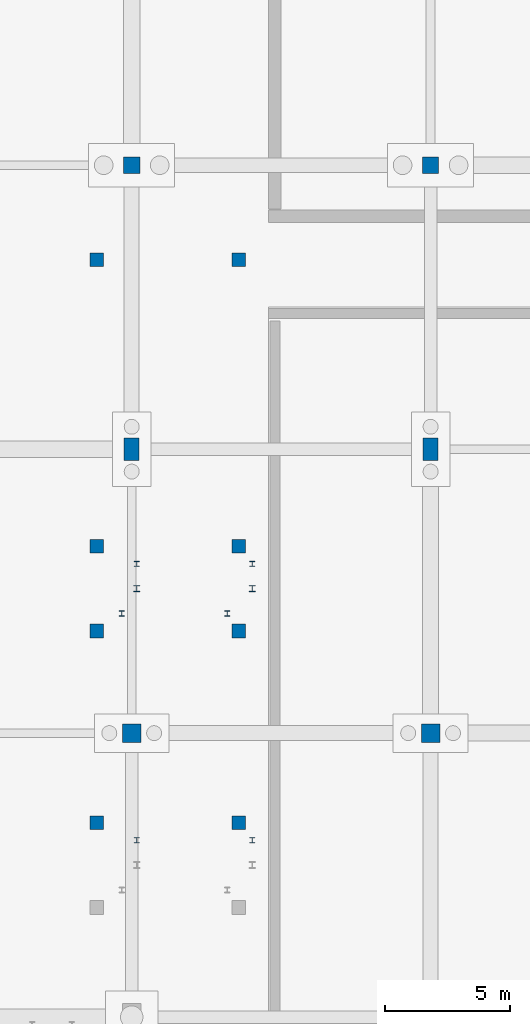
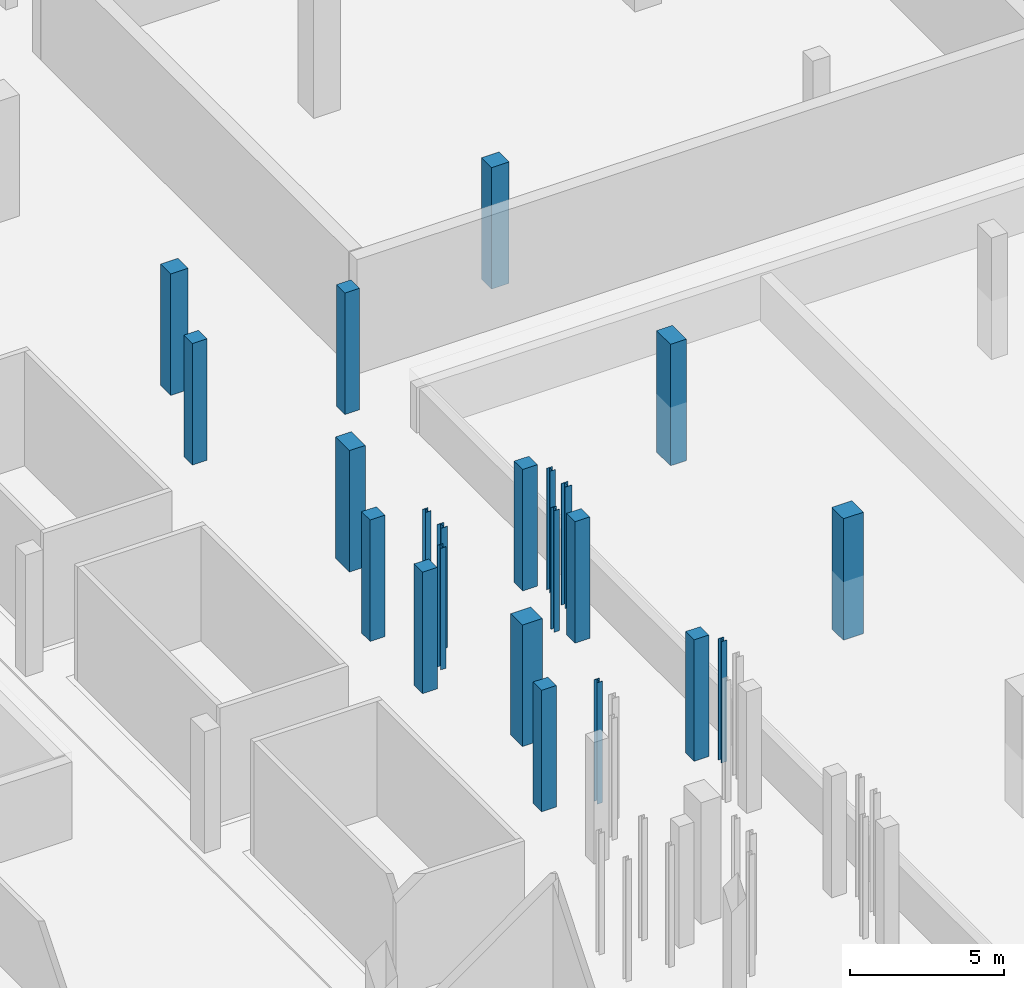
# One storey, part 17 of 34: 22 columns.
"""IFC4 building model written with IfcOpenShell, lengths in metres."""

from ifc_helpers import new_model, si_unit, direction, frame, origin, origin_2d, place, context, subcontext, project, spatial, rectangle, i_section, extrude, material, material_profile, profile_set, type_object, element, save


model = new_model("IFC4")

# Units and contexts
model_context = context("Model", 3, precision=1e-05, world=origin(), true_north=direction((0.0, 1.0)))
body_context = subcontext(model_context, "Body", "Model", "MODEL_VIEW")
ifc_project = project(units=[si_unit("LENGTHUNIT", "METRE"), si_unit("AREAUNIT", "SQUARE_METRE"), si_unit("VOLUMEUNIT", "CUBIC_METRE"), si_unit("PLANEANGLEUNIT", "RADIAN"), si_unit("MASSUNIT", "GRAM", prefix="KILO"), si_unit("POWERUNIT", "WATT"), si_unit("THERMODYNAMICTEMPERATUREUNIT", "KELVIN")], contexts=[model_context])

# Site, building, storey
site_placement = place(None, origin())
site = spatial("IfcSite", under=ifc_project, at=site_placement, CompositionType="ELEMENT")
building_placement = place(site_placement, origin())
building = spatial("IfcBuilding", under=site, at=building_placement, Name="Kelmbourne Parkland Aquatics Centre", CompositionType="ELEMENT")
storey_placement = place(building_placement, frame((0.0, 0.0, -4.800048828125)))
storey = spatial("IfcBuildingStorey", under=building, at=storey_placement, Name="B1", CompositionType="ELEMENT", Elevation=-4.800048828125)

# Columns
ifc_material_1 = material(Name="Concrete C40/50", Category="concrete")
ifc_material_profile_1 = material_profile(ifc_material_1, rectangle(XDim=0.75, YDim=0.75, at=origin_2d()), Name="RC 750x750")
ifc_profile_set_1 = profile_set([ifc_material_profile_1], Name="Concrete C40/50")
column_type_1 = type_object("IfcColumnType", Name="COL-C04", PredefinedType="COLUMN", material=ifc_profile_set_1)
for number, where, z_axis, x_axis, name in (
    (1, (140.0, 69.199951171875, 0.0), (0.0, 0.0, 1.0), (1.0, 0.0, 0.0), "Structural column Q-10 (B1)"),
    (2, (152.0, 69.199951171875, 0.0), (0.0, 0.0, 1.0), (1.0, 0.0, 0.0), "Structural column R-10 (B1)"),
):
    element("IfcColumn", number, at=place(storey_placement, frame(where, z_axis=z_axis, x_axis=x_axis)), inside=storey, type_object=column_type_1, Name=name, PredefinedType="COLUMN", context=body_context, shape_type="SweptSolid", body=[
        extrude(rectangle(XDim=0.75, YDim=0.75, at=origin_2d()), origin(), (0.0, 0.0, 1.0), 4.800048828125),
    ])
ifc_material_profile_2 = material_profile(ifc_material_1, rectangle(XDim=0.60009765625, YDim=0.89990234375, at=origin_2d()), Name="RC 600x900")
ifc_profile_set_2 = profile_set([ifc_material_profile_2], Name="Concrete C40/50")
column_type_2 = type_object("IfcColumnType", Name="COL-C05", PredefinedType="COLUMN", material=ifc_profile_set_2)
for number, where, z_axis, x_axis, name in (
    (3, (140.0, 80.60009765625, 0.0), (0.0, 0.0, 1.0), (1.0, 0.0, 0.0), "Structural column Q-11 (B1)"),
    (4, (152.0, 80.60009765625, 0.0), (0.0, 0.0, 1.0), (1.0, 0.0, 0.0), "Structural column R-11 (B1)"),
):
    element("IfcColumn", number, at=place(storey_placement, frame(where, z_axis=z_axis, x_axis=x_axis)), inside=storey, type_object=column_type_2, Name=name, PredefinedType="COLUMN", context=body_context, shape_type="SweptSolid", body=[
        extrude(rectangle(XDim=0.60009765625, YDim=0.89990234375, at=origin_2d()), origin(), (0.0, 0.0, 1.0), 4.800048828125),
    ])
ifc_material_profile_3 = material_profile(ifc_material_1, rectangle(XDim=0.64990234375, YDim=0.64990234375, at=origin_2d()), Name="RC 650x650")
ifc_profile_set_3 = profile_set([ifc_material_profile_3], Name="Concrete C40/50")
column_type_3 = type_object("IfcColumnType", Name="COL-C06", PredefinedType="COLUMN", material=ifc_profile_set_3)
for number, where, z_axis, x_axis, name in (
    (5, (140.0, 92.0, 0.0), (0.0, 0.0, 1.0), (1.0, 0.0, 0.0), "Structural column Q-12 (B1)"),
    (6, (152.0, 92.0, 0.0), (0.0, 0.0, 1.0), (1.0, 0.0, 0.0), "Structural column R-12 (B1)"),
):
    element("IfcColumn", number, at=place(storey_placement, frame(where, z_axis=z_axis, x_axis=x_axis)), inside=storey, type_object=column_type_3, Name=name, PredefinedType="COLUMN", context=body_context, shape_type="SweptSolid", body=[
        extrude(rectangle(XDim=0.64990234375, YDim=0.64990234375, at=origin_2d()), origin(), (0.0, 0.0, 1.0), 4.800048828125),
    ])
ifc_material_profile_4 = material_profile(ifc_material_1, rectangle(XDim=0.550048828125, YDim=0.550048828125, at=origin_2d()), Name="RC 550x550")
ifc_profile_set_4 = profile_set([ifc_material_profile_4], Name="Concrete C40/50")
column_type_4 = type_object("IfcColumnType", Name="COL-C07", PredefinedType="COLUMN", material=ifc_profile_set_4)
for number, where, z_axis, x_axis, name in (
    (7, (144.300048828125, 65.60009765625, 0.0), (0.0, 0.0, 1.0), (1.0, 0.0, 0.0), "Bowl FRT basement pier 7"),
    (8, (138.60009765625, 65.60009765625, 0.0), (0.0, 0.0, 1.0), (1.0, 0.0, 0.0), "Bowl RER basement pier 7"),
    (9, (144.300048828125, 73.300048828125, 0.0), (0.0, 0.0, 1.0), (1.0, 0.0, 0.0), "Bowl FRT basement pier 8"),
    (10, (138.60009765625, 73.300048828125, 0.0), (0.0, 0.0, 1.0), (1.0, 0.0, 0.0), "Bowl RER basement pier 8"),
    (11, (144.300048828125, 76.699951171875, 0.0), (0.0, 0.0, 1.0), (1.0, 0.0, 0.0), "Bowl FRT basement pier 9"),
    (12, (138.60009765625, 76.699951171875, 0.0), (0.0, 0.0, 1.0), (1.0, 0.0, 0.0), "Bowl RER basement pier 9"),
    (13, (144.300048828125, 88.199951171875, 0.0), (0.0, 0.0, 1.0), (1.0, 0.0, 0.0), "Bowl FRT basement pier 10"),
    (14, (138.60009765625, 88.199951171875, 0.0), (0.0, 0.0, 1.0), (1.0, 0.0, 0.0), "Bowl RER basement pier 10"),
):
    element("IfcColumn", number, at=place(storey_placement, frame(where, z_axis=z_axis, x_axis=x_axis)), inside=storey, type_object=column_type_4, Name=name, PredefinedType="COLUMN", context=body_context, shape_type="SweptSolid", body=[
        extrude(rectangle(XDim=0.550048828125, YDim=0.550048828125, at=origin_2d()), origin(), (0.0, 0.0, 1.0), 4.800048828125),
    ])
ifc_material_2 = material(Name="Structural steel AS/NZS 3679.1 Grade 300", Category="steel")
ifc_material_profile_5 = material_profile(ifc_material_2, i_section(OverallWidth=0.25390625, OverallDepth=0.25390625, WebThickness=0.008544921875, FlangeThickness=0.01416015625, at=origin_2d()), Name="250UC72.9")
ifc_profile_set_5 = profile_set([ifc_material_profile_5], Name="Structural steel AS/NZS 3679.1 Grade 300")
column_type_5 = type_object("IfcColumnType", Name="COL-C18", PredefinedType="COLUMN", material=ifc_profile_set_5)
for number, where, z_axis, x_axis, name in (
    (15, (144.840087890625, 75.0, 0.0), (0.0, 0.0, 1.0), (1.0, 0.0, 0.0), "VM04 BOT1 B1 pier"),
    (16, (140.199951171875, 75.0, 0.0), (0.0, 0.0, 1.0), (1.0, 0.0, 0.0), "VM04 TOP1 B1 pier"),
):
    element("IfcColumn", number, at=place(storey_placement, frame(where, z_axis=z_axis, x_axis=x_axis)), inside=storey, type_object=column_type_5, Name=name, PredefinedType="COLUMN", context=body_context, shape_type="SweptSolid", body=[
        extrude(i_section(OverallWidth=0.25390625, OverallDepth=0.25390625, WebThickness=0.008544921875, FlangeThickness=0.01416015625, at=origin_2d()), origin(), (0.0, 0.0, 1.0), 4.800048828125),
    ])
ifc_material_profile_6 = material_profile(ifc_material_2, i_section(OverallWidth=0.205078125, OverallDepth=0.2099609375, WebThickness=0.00927734375, FlangeThickness=0.01416015625, at=origin_2d()), Name="200UC59.5")
ifc_profile_set_6 = profile_set([ifc_material_profile_6], Name="Structural steel AS/NZS 3679.1 Grade 300")
column_type_6 = type_object("IfcColumnType", Name="COL-C19", PredefinedType="COLUMN", material=ifc_profile_set_6)
for number, where, z_axis, x_axis, name in (
    (17, (144.840087890625, 64.89990234375, 0.0), (0.0, 0.0, 1.0), (1.0, 0.0, 0.0), "VM03 BOT2 B1 pier"),
    (18, (140.199951171875, 64.89990234375, 0.0), (0.0, 0.0, 1.0), (1.0, 0.0, 0.0), "VM03 TOP2 B1 pier"),
    (19, (144.840087890625, 76.0, 0.0), (0.0, 0.0, 1.0), (1.0, 0.0, 0.0), "VM04 BOT2 B1 pier"),
    (20, (143.840087890625, 74.0, 0.0), (0.0, 0.0, 1.0), (1.0, 0.0, 0.0), "VM04 BOT3 B1 pier"),
    (21, (140.199951171875, 76.0, 0.0), (0.0, 0.0, 1.0), (1.0, 0.0, 0.0), "VM04 TOP2 B1 pier"),
    (22, (139.60009765625, 74.0, 0.0), (0.0, 0.0, 1.0), (1.0, 0.0, 0.0), "VM04 TOP3 B1 pier"),
):
    element("IfcColumn", number, at=place(storey_placement, frame(where, z_axis=z_axis, x_axis=x_axis)), inside=storey, type_object=column_type_6, Name=name, PredefinedType="COLUMN", context=body_context, shape_type="SweptSolid", body=[
        extrude(i_section(OverallWidth=0.205078125, OverallDepth=0.2099609375, WebThickness=0.00927734375, FlangeThickness=0.01416015625, at=origin_2d()), origin(), (0.0, 0.0, 1.0), 4.800048828125),
    ])

save(model, "model.ifc")
